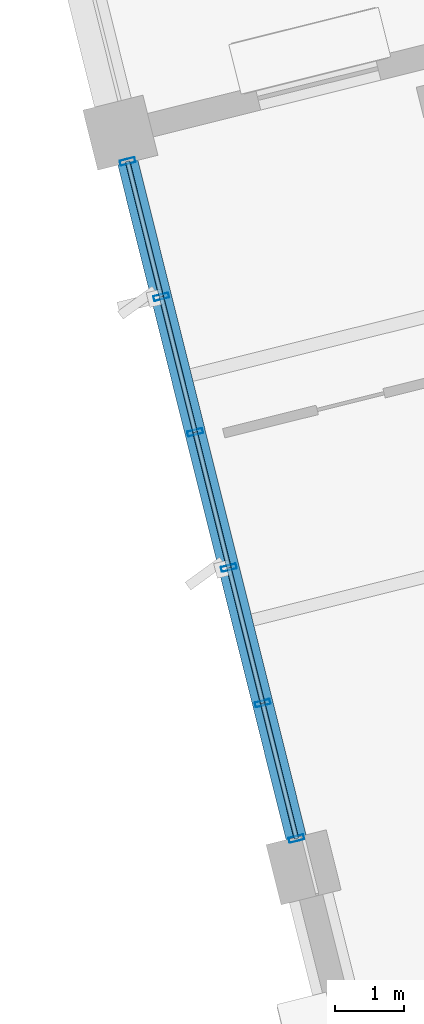
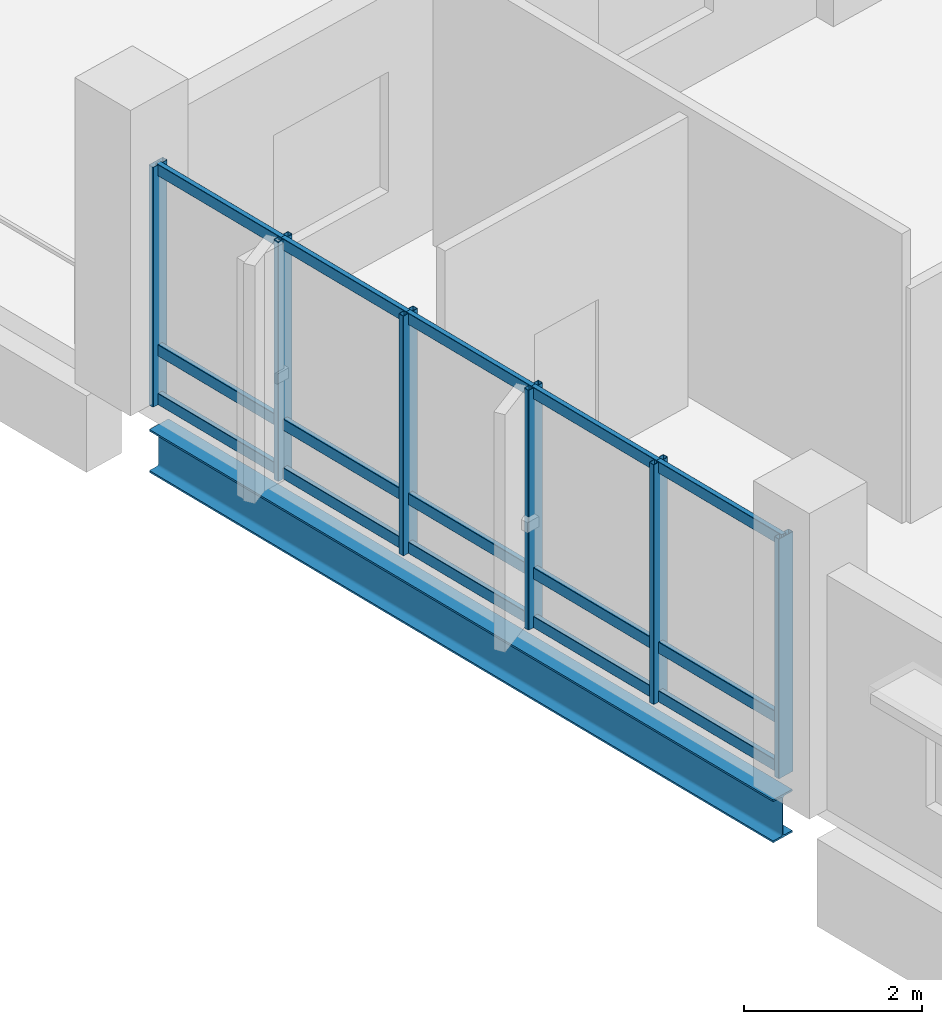
# One storey, part 14 of 22: 21 members, 1 beam, 1 element without a shape of its own.
"""IFC4 building model written with IfcOpenShell, lengths in metres."""

import ifcopenshell
import ifcopenshell.guid

model = None  # the IFC model being written
_history = None  # IfcOwnerHistory: only IFC2X3 demands one
_inside = {}  # id of a spatial element -> (the spatial element, [elements in it])
_under = {}  # id of a project, library or spatial element -> (it, [spatial elements below it])
_declared = {}  # id of a project -> (the project, [libraries it declares])
_typed = {}  # id of a type object -> (the type object, [elements of that type])
_made_of = {}  # id of a material, layer set ... -> (it, [elements and type objects made of it])


def new_model(schema):
    """Start an empty IFC model of exactly this schema.

    Asked for "IFC4X3", IfcOpenShell would pick the latest addendum, in which some entities
    have other attributes; the version numbers below select the first issue.
    IFC2X3 requires an IfcOwnerHistory on every rooted entity: one is made here for all.
    """
    global model, _history
    if schema == "IFC4X3":
        model = ifcopenshell.file(schema_version=(4, 3, 0, 0))
    else:
        model = ifcopenshell.file(schema=schema)
    _inside.clear()
    _under.clear()
    _declared.clear()
    _typed.clear()
    _made_of.clear()
    _history = None
    if model.schema == "IFC2X3":
        org = make("IfcOrganization", Name="unknown")
        user = make(
            "IfcPersonAndOrganization",
            ThePerson=make("IfcPerson", FamilyName="unknown"),
            TheOrganization=org,
        )
        app = make(
            "IfcApplication",
            ApplicationDeveloper=org,
            Version="unknown",
            ApplicationFullName="unknown",
            ApplicationIdentifier="unknown",
        )
        _history = make(
            "IfcOwnerHistory",
            OwningUser=user,
            OwningApplication=app,
            ChangeAction="ADDED",
            CreationDate=0,
        )
    return model


def make(cls, **values):
    """One entity of the class cls with the attributes given. An attribute that is None is left unset."""
    return model.create_entity(
        cls, **{name: value for name, value in values.items() if value is not None}
    )


def rooted(cls, **values):
    """An entity with a GlobalId (a new one), such as an element, a storey or a relation."""
    return make(cls, GlobalId=ifcopenshell.guid.new(), OwnerHistory=_history, **values)


def si_unit(unit_type, name, prefix=None):
    """IfcSIUnit, for example si_unit("LENGTHUNIT", "METRE", prefix="MILLI")."""
    return make("IfcSIUnit", UnitType=unit_type, Prefix=prefix, Name=name)


def assignment(units):
    """IfcUnitAssignment: the units of a project."""
    return None if units is None else make("IfcUnitAssignment", Units=units)


def point(xyz):
    """IfcCartesianPoint."""
    return None if xyz is None else make("IfcCartesianPoint", Coordinates=xyz)


def direction(xyz):
    """IfcDirection."""
    return None if xyz is None else make("IfcDirection", DirectionRatios=xyz)


def frame(location, z_axis=None, x_axis=None):
    """IfcAxis2Placement3D, a coordinate frame: its origin and axes. An axis left out is left unset."""
    return make(
        "IfcAxis2Placement3D",
        Location=point(location),
        Axis=direction(z_axis),
        RefDirection=direction(x_axis),
    )


def frame_2d(location, x_axis=None):
    """IfcAxis2Placement2D, a coordinate frame in the plane: its origin and x axis."""
    return make(
        "IfcAxis2Placement2D", Location=point(location), RefDirection=direction(x_axis)
    )


def origin():
    """The frame at (0, 0, 0) with its axes left unset."""
    return frame((0.0, 0.0, 0.0))


def origin_2d():
    """The frame at (0, 0) in the plane with its x axis left unset."""
    return frame_2d((0.0, 0.0))


def place(relative_to, where):
    """IfcLocalPlacement: puts the frame where relative to a parent placement (None: the world)."""
    return make(
        "IfcLocalPlacement", PlacementRelTo=relative_to, RelativePlacement=where
    )


def context(
    kind, dimensions, precision=None, world=None, true_north=None, identifier=None
):
    """IfcGeometricRepresentationContext, for example the 3D "Model" context."""
    return make(
        "IfcGeometricRepresentationContext",
        ContextIdentifier=identifier,
        ContextType=kind,
        CoordinateSpaceDimension=dimensions,
        Precision=precision,
        WorldCoordinateSystem=world,
        TrueNorth=true_north,
    )


def subcontext(parent, identifier, kind, view, scale=None):
    """IfcGeometricRepresentationSubContext, for example "Body" below "Model"."""
    return make(
        "IfcGeometricRepresentationSubContext",
        ContextIdentifier=identifier,
        ContextType=kind,
        ParentContext=parent,
        TargetScale=scale,
        TargetView=view,
    )


def project(units=None, contexts=None):
    """IfcProject with its units and contexts."""
    return rooted(
        "IfcProject",
        Name="project",
        RepresentationContexts=contexts,
        UnitsInContext=assignment(units),
    )


def spatial(cls, under=None, at=None, **own):
    """A site, building, storey or space (cls), placed at a placement, below another one or the project."""
    s = rooted(cls, ObjectPlacement=at, **own)
    if under is not None:
        _under.setdefault(under.id(), (under, []))[1].append(s)
    return s


def profile(cls, at=None, kind="AREA", **sizes):
    """A parametric profile (cls). Its sizes go by their IFC names, for example OverallWidth=200.0."""
    return make(cls, ProfileType=kind, Position=at, **sizes)


def hollow_rectangle(**sizes):
    """IfcRectangleHollowProfileDef."""
    return profile("IfcRectangleHollowProfileDef", **sizes)


def i_section(**sizes):
    """IfcIShapeProfileDef."""
    return profile("IfcIShapeProfileDef", **sizes)


def extrude(swept, where, along, depth):
    """IfcExtrudedAreaSolid: the profile swept, set in the frame where, extruded along a direction by depth."""
    return make(
        "IfcExtrudedAreaSolid",
        SweptArea=swept,
        Position=where,
        ExtrudedDirection=direction(along),
        Depth=depth,
    )


def shape(context_of_items, identifier, shape_type, items):
    """IfcShapeRepresentation: the items that make up one representation, for example the "Body"."""
    return make(
        "IfcShapeRepresentation",
        ContextOfItems=context_of_items,
        RepresentationIdentifier=identifier,
        RepresentationType=shape_type,
        Items=items,
    )


def material(Name=None, Category=None):
    """IfcMaterial."""
    return make("IfcMaterial", Name=Name, Category=Category)


def layer(
    of_material, thickness, ventilated=None, Name=None, Category=None, Priority=None
):
    """IfcMaterialLayer: one layer of a wall or slab, of a material (None: an air gap)."""
    return make(
        "IfcMaterialLayer",
        Material=of_material,
        LayerThickness=thickness,
        IsVentilated=ventilated,
        Name=Name,
        Category=Category,
        Priority=Priority,
    )


def layer_set(layers, Name=None):
    """IfcMaterialLayerSet."""
    return make("IfcMaterialLayerSet", MaterialLayers=layers, LayerSetName=Name)


def material_profile(
    of_material, cross_section, Name=None, Category=None, Priority=None
):
    """IfcMaterialProfile: a cross section and its material."""
    return make(
        "IfcMaterialProfile",
        Name=Name,
        Material=of_material,
        Profile=cross_section,
        Priority=Priority,
        Category=Category,
    )


def profile_set(profiles, Name=None, composite=None):
    """IfcMaterialProfileSet."""
    return make(
        "IfcMaterialProfileSet",
        Name=Name,
        MaterialProfiles=profiles,
        CompositeProfile=composite,
    )


def made_of(thing, what):
    """Note that an element or type object is made of a material, layer set ...; save() writes the relation."""
    if what is not None:
        _made_of.setdefault(what.id(), (what, []))[1].append(thing)
    return thing


def type_object(cls, material=None, **own):
    """A type object (cls), such as IfcWallType, which elements share."""
    return made_of(rooted(cls, **own), material)


def element(
    cls,
    number,
    at=None,
    inside=None,
    cuts=None,
    type_object=None,
    material=None,
    context=None,
    identifier="Body",
    shape_type=None,
    held_by="IfcProductDefinitionShape",
    body=None,
    shapes=None,
    **own,
):
    """One element of the class cls, such as IfcWall. Its Tag is "e" and its number.

    at: its placement. inside: the storey or other place that contains it. cuts: it is an
    opening in that element (IfcRelVoidsElement). A single representation is given by context,
    identifier, shape_type and body (its items); several are given by shapes. held_by: the class
    of the entity that holds the representations. save() writes the other relations.
    """
    e = rooted(cls, Tag="e%d" % number, ObjectPlacement=at, **own)
    if body is not None:
        shapes = [shape(context, identifier, shape_type, body)]
    if shapes is not None:
        e.Representation = make(held_by, Representations=shapes)
    if inside is not None:
        _inside.setdefault(inside.id(), (inside, []))[1].append(e)
    if cuts is not None:
        rooted(
            "IfcRelVoidsElement", RelatingBuildingElement=cuts, RelatedOpeningElement=e
        )
    if type_object is not None:
        _typed.setdefault(type_object.id(), (type_object, []))[1].append(e)
    return made_of(e, material)


def aggregate(whole, parts):
    """IfcRelAggregates: a whole, such as a stair, and the parts it consists of."""
    return rooted("IfcRelAggregates", RelatingObject=whole, RelatedObjects=parts)


def save(model, path):
    """Write the relations noted so far, then the file.

    IfcRelAggregates (storeys below a building ...), IfcRelContainedInSpatialStructure (elements
    in a storey), IfcRelDefinesByType, IfcRelAssociatesMaterial and IfcRelDeclares: one each for
    every whole, place, type object, material and project.
    """
    for whole, parts in _under.values():
        aggregate(whole, parts)
    for where, things in _inside.values():
        rooted(
            "IfcRelContainedInSpatialStructure",
            RelatedElements=things,
            RelatingStructure=where,
        )
    for kind, things in _typed.values():
        rooted("IfcRelDefinesByType", RelatedObjects=things, RelatingType=kind)
    for what, things in _made_of.values():
        rooted("IfcRelAssociatesMaterial", RelatedObjects=things, RelatingMaterial=what)
    for by, libraries in _declared.values():
        rooted("IfcRelDeclares", RelatingContext=by, RelatedDefinitions=libraries)
    model.write(path)


model = new_model("IFC4")

# Units and contexts
model_context = context("Model", 3, precision=1e-05, world=origin(), true_north=direction((0.0, 1.0)))
body_context = subcontext(model_context, "Body", "Model", "MODEL_VIEW")
ifc_project = project(units=[si_unit("LENGTHUNIT", "METRE"), si_unit("AREAUNIT", "SQUARE_METRE"), si_unit("VOLUMEUNIT", "CUBIC_METRE"), si_unit("PLANEANGLEUNIT", "RADIAN"), si_unit("MASSUNIT", "GRAM", prefix="KILO")], contexts=[model_context])

# Site, building, storey
site_placement = place(None, origin())
site = spatial("IfcSite", under=ifc_project, at=site_placement, CompositionType="ELEMENT")
building_placement = place(site_placement, origin())
building = spatial("IfcBuilding", under=site, at=building_placement, Name="Khorjan Park Terminus", CompositionType="ELEMENT")
storey_placement = place(building_placement, frame((0.0, 0.0, 24.6)))
storey = spatial("IfcBuildingStorey", under=building, at=storey_placement, Name="L05", CompositionType="ELEMENT", Elevation=24.6)

# Beam
ifc_material_1 = material(Name="Steel S355", Category="steel")
ifc_material_profile_1 = material_profile(ifc_material_1, i_section(OverallWidth=0.3, OverallDepth=0.59, WebThickness=0.013, FlangeThickness=0.025, FilletRadius=0.027, at=origin_2d()), Name="HEA 600")
ifc_profile_set_1 = profile_set([ifc_material_profile_1], Name="Steel S355")
beam_type = type_object("IfcBeamType", Name="BM-HEA600", PredefinedType="BEAM", material=ifc_profile_set_1)
beam_placement = place(storey_placement, frame((200.6019, 45.0961, -0.625), z_axis=(-0.241918830968, 0.970296490369, 0.0), x_axis=(-0.970296490369, -0.241918830968, 0.0)))
element("IfcBeam", 1, at=beam_placement, inside=storey, type_object=beam_type, Name="Primary skew-grid floor girder SB-A60 (L05)", PredefinedType="BEAM", context=body_context, shape_type="SweptSolid", body=[
    extrude(i_section(OverallWidth=0.3, OverallDepth=0.59, WebThickness=0.013, FlangeThickness=0.025, FilletRadius=0.027, at=origin_2d()), origin(), (0.0, 0.0, 1.0), 10.11),
])

# Curtain wall, members
ifc_material_2 = material(Name="Anodized Bronze Aluminium", Category="aluminium")
ifc_layer = layer(ifc_material_2, 0.22)
ifc_layer_set = layer_set([ifc_layer], Name="Anodized Bronze Aluminium")
curtain_wall_type = type_object("IfcCurtainWallType", Name="CW-OPS-B", PredefinedType="NOTDEFINED", material=ifc_layer_set)
curtain_wall_placement = place(storey_placement, origin())
curtain_wall = element("IfcCurtainWall", 2, at=curtain_wall_placement, inside=storey, type_object=curtain_wall_type, Name="Unitized curtain wall CW-B (CW-V5-NW1-L05-B01)", PredefinedType="NOTDEFINED")
ifc_material_profile_2 = material_profile(ifc_material_2, hollow_rectangle(XDim=0.075, YDim=0.225, WallThickness=0.005, InnerFilletRadius=0.005, OuterFilletRadius=0.01, at=origin_2d()), Name="ALM 75x225x5")
ifc_profile_set_2 = profile_set([ifc_material_profile_2], Name="Anodized Bronze Aluminium")
member_type_1 = type_object("IfcMemberType", Name="ML-ALM-225", PredefinedType="MULLION", material=ifc_profile_set_2)
member_1_placement = place(storey_placement, frame((198.1523, 54.9208, -0.035), z_axis=(0.0, 0.0, 1.0), x_axis=(0.24193231064, -0.970293129455, 0.0)))
member_1 = element("IfcMember", 3, at=member_1_placement, type_object=member_type_1, Name="Curtain-wall mullion ML-22 (CW-V5-NW1-L05-B01-0)", PredefinedType="MULLION", context=body_context, shape_type="SweptSolid", body=[
    extrude(hollow_rectangle(XDim=0.075, YDim=0.225, WallThickness=0.005, InnerFilletRadius=0.005, OuterFilletRadius=0.01, at=origin_2d()), origin(), (0.0, 0.0, 1.0), 3.295),
])
member_2_placement = place(storey_placement, frame((198.643, 52.9529, -0.035), z_axis=(0.0, 0.0, 1.0), x_axis=(0.24193231064, -0.970293129455, 0.0)))
member_2 = element("IfcMember", 4, at=member_2_placement, type_object=member_type_1, Name="Curtain-wall mullion ML-22 (CW-V5-NW1-L05-B01-1)", PredefinedType="MULLION", context=body_context, shape_type="SweptSolid", body=[
    extrude(hollow_rectangle(XDim=0.075, YDim=0.225, WallThickness=0.005, InnerFilletRadius=0.005, OuterFilletRadius=0.01, at=origin_2d()), origin(), (0.0, 0.0, 1.0), 3.295),
])
member_3_placement = place(storey_placement, frame((199.1337, 50.985, -0.035), z_axis=(0.0, 0.0, 1.0), x_axis=(0.24193231064, -0.970293129455, 0.0)))
member_3 = element("IfcMember", 5, at=member_3_placement, type_object=member_type_1, Name="Curtain-wall mullion ML-22 (CW-V5-NW1-L05-B01-2)", PredefinedType="MULLION", context=body_context, shape_type="SweptSolid", body=[
    extrude(hollow_rectangle(XDim=0.075, YDim=0.225, WallThickness=0.005, InnerFilletRadius=0.005, OuterFilletRadius=0.01, at=origin_2d()), origin(), (0.0, 0.0, 1.0), 3.295),
])
member_4_placement = place(storey_placement, frame((199.6243, 49.017, -0.035), z_axis=(0.0, 0.0, 1.0), x_axis=(0.24193231064, -0.970293129455, 0.0)))
member_4 = element("IfcMember", 6, at=member_4_placement, type_object=member_type_1, Name="Curtain-wall mullion ML-22 (CW-V5-NW1-L05-B01-3)", PredefinedType="MULLION", context=body_context, shape_type="SweptSolid", body=[
    extrude(hollow_rectangle(XDim=0.075, YDim=0.225, WallThickness=0.005, InnerFilletRadius=0.005, OuterFilletRadius=0.01, at=origin_2d()), origin(), (0.0, 0.0, 1.0), 3.295),
])
member_5_placement = place(storey_placement, frame((200.115, 47.0491, -0.035), z_axis=(0.0, 0.0, 1.0), x_axis=(0.24193231064, -0.970293129455, 0.0)))
member_5 = element("IfcMember", 7, at=member_5_placement, type_object=member_type_1, Name="Curtain-wall mullion ML-22 (CW-V5-NW1-L05-B01-4)", PredefinedType="MULLION", context=body_context, shape_type="SweptSolid", body=[
    extrude(hollow_rectangle(XDim=0.075, YDim=0.225, WallThickness=0.005, InnerFilletRadius=0.005, OuterFilletRadius=0.01, at=origin_2d()), origin(), (0.0, 0.0, 1.0), 3.295),
])
member_6_placement = place(storey_placement, frame((200.6057, 45.0812, -0.035), z_axis=(0.0, 0.0, 1.0), x_axis=(0.24193231064, -0.970293129455, 0.0)))
member_6 = element("IfcMember", 8, at=member_6_placement, type_object=member_type_1, Name="Curtain-wall mullion ML-22 (CW-V5-NW1-L05-B01-5)", PredefinedType="MULLION", context=body_context, shape_type="SweptSolid", body=[
    extrude(hollow_rectangle(XDim=0.075, YDim=0.225, WallThickness=0.005, InnerFilletRadius=0.005, OuterFilletRadius=0.01, at=origin_2d()), origin(), (0.0, 0.0, 1.0), 3.295),
])
ifc_material_profile_3 = material_profile(ifc_material_2, hollow_rectangle(XDim=0.07, YDim=0.16, WallThickness=0.004, InnerFilletRadius=0.004, OuterFilletRadius=0.008, at=origin_2d()), Name="ALT 70x160x4")
ifc_profile_set_3 = profile_set([ifc_material_profile_3], Name="Anodized Bronze Aluminium")
member_type_2 = type_object("IfcMemberType", Name="TR-ALT-160", PredefinedType="USERDEFINED", material=ifc_profile_set_3)
member_7_placement = place(storey_placement, frame((198.1523, 54.9208, 0.04), z_axis=(0.241943909477, -0.970290237335, 0.0), x_axis=(0.970290237335, 0.241943909477, 0.0)))
member_7 = element("IfcMember", 9, at=member_7_placement, type_object=member_type_2, Name="Curtain-wall transom TR-16 (CW-V5-NW1-L05-B01-0-1)", ObjectType="TRANSOM", PredefinedType="USERDEFINED", context=body_context, shape_type="SweptSolid", body=[
    extrude(hollow_rectangle(XDim=0.07, YDim=0.16, WallThickness=0.004, InnerFilletRadius=0.004, OuterFilletRadius=0.008, at=origin_2d()), origin(), (0.0, 0.0, 1.0), 2.0282),
])
member_8_placement = place(storey_placement, frame((198.1523, 54.9208, 0.709), z_axis=(0.241943909477, -0.970290237335, 0.0), x_axis=(0.970290237335, 0.241943909477, 0.0)))
member_8 = element("IfcMember", 10, at=member_8_placement, type_object=member_type_2, Name="Curtain-wall transom TR-16 (CW-V5-NW1-L05-B01-0-2)", ObjectType="TRANSOM", PredefinedType="USERDEFINED", context=body_context, shape_type="SweptSolid", body=[
    extrude(hollow_rectangle(XDim=0.07, YDim=0.16, WallThickness=0.004, InnerFilletRadius=0.004, OuterFilletRadius=0.008, at=origin_2d()), origin(), (0.0, 0.0, 1.0), 2.0282),
])
member_9_placement = place(storey_placement, frame((198.1523, 54.9208, 3.185), z_axis=(0.241943909477, -0.970290237335, 0.0), x_axis=(0.970290237335, 0.241943909477, 0.0)))
member_9 = element("IfcMember", 11, at=member_9_placement, type_object=member_type_2, Name="Curtain-wall transom TR-16 (CW-V5-NW1-L05-B01-0-3)", ObjectType="TRANSOM", PredefinedType="USERDEFINED", context=body_context, shape_type="SweptSolid", body=[
    extrude(hollow_rectangle(XDim=0.07, YDim=0.16, WallThickness=0.004, InnerFilletRadius=0.004, OuterFilletRadius=0.008, at=origin_2d()), origin(), (0.0, 0.0, 1.0), 2.0282),
])
member_10_placement = place(storey_placement, frame((198.643, 52.9529, 0.04), z_axis=(0.241943909477, -0.970290237335, 0.0), x_axis=(0.970290237335, 0.241943909477, 0.0)))
member_10 = element("IfcMember", 12, at=member_10_placement, type_object=member_type_2, Name="Curtain-wall transom TR-16 (CW-V5-NW1-L05-B01-1-1)", ObjectType="TRANSOM", PredefinedType="USERDEFINED", context=body_context, shape_type="SweptSolid", body=[
    extrude(hollow_rectangle(XDim=0.07, YDim=0.16, WallThickness=0.004, InnerFilletRadius=0.004, OuterFilletRadius=0.008, at=origin_2d()), origin(), (0.0, 0.0, 1.0), 2.0282),
])
member_11_placement = place(storey_placement, frame((198.643, 52.9529, 0.709), z_axis=(0.241943909477, -0.970290237335, 0.0), x_axis=(0.970290237335, 0.241943909477, 0.0)))
member_11 = element("IfcMember", 13, at=member_11_placement, type_object=member_type_2, Name="Curtain-wall transom TR-16 (CW-V5-NW1-L05-B01-1-2)", ObjectType="TRANSOM", PredefinedType="USERDEFINED", context=body_context, shape_type="SweptSolid", body=[
    extrude(hollow_rectangle(XDim=0.07, YDim=0.16, WallThickness=0.004, InnerFilletRadius=0.004, OuterFilletRadius=0.008, at=origin_2d()), origin(), (0.0, 0.0, 1.0), 2.0282),
])
member_12_placement = place(storey_placement, frame((198.643, 52.9529, 3.185), z_axis=(0.241943909477, -0.970290237335, 0.0), x_axis=(0.970290237335, 0.241943909477, 0.0)))
member_12 = element("IfcMember", 14, at=member_12_placement, type_object=member_type_2, Name="Curtain-wall transom TR-16 (CW-V5-NW1-L05-B01-1-3)", ObjectType="TRANSOM", PredefinedType="USERDEFINED", context=body_context, shape_type="SweptSolid", body=[
    extrude(hollow_rectangle(XDim=0.07, YDim=0.16, WallThickness=0.004, InnerFilletRadius=0.004, OuterFilletRadius=0.008, at=origin_2d()), origin(), (0.0, 0.0, 1.0), 2.0282),
])
member_13_placement = place(storey_placement, frame((199.1337, 50.985, 0.04), z_axis=(0.241885916627, -0.970304696133, 0.0), x_axis=(0.970304696133, 0.241885916627, 0.0)))
member_13 = element("IfcMember", 15, at=member_13_placement, type_object=member_type_2, Name="Curtain-wall transom TR-16 (CW-V5-NW1-L05-B01-2-1)", ObjectType="TRANSOM", PredefinedType="USERDEFINED", context=body_context, shape_type="SweptSolid", body=[
    extrude(hollow_rectangle(XDim=0.07, YDim=0.16, WallThickness=0.004, InnerFilletRadius=0.004, OuterFilletRadius=0.008, at=origin_2d()), origin(), (0.0, 0.0, 1.0), 2.0282),
])
member_14_placement = place(storey_placement, frame((199.1337, 50.985, 0.709), z_axis=(0.241885916627, -0.970304696133, 0.0), x_axis=(0.970304696133, 0.241885916627, 0.0)))
member_14 = element("IfcMember", 16, at=member_14_placement, type_object=member_type_2, Name="Curtain-wall transom TR-16 (CW-V5-NW1-L05-B01-2-2)", ObjectType="TRANSOM", PredefinedType="USERDEFINED", context=body_context, shape_type="SweptSolid", body=[
    extrude(hollow_rectangle(XDim=0.07, YDim=0.16, WallThickness=0.004, InnerFilletRadius=0.004, OuterFilletRadius=0.008, at=origin_2d()), origin(), (0.0, 0.0, 1.0), 2.0282),
])
member_15_placement = place(storey_placement, frame((199.1337, 50.985, 3.185), z_axis=(0.241885916627, -0.970304696133, 0.0), x_axis=(0.970304696133, 0.241885916627, 0.0)))
member_15 = element("IfcMember", 17, at=member_15_placement, type_object=member_type_2, Name="Curtain-wall transom TR-16 (CW-V5-NW1-L05-B01-2-3)", ObjectType="TRANSOM", PredefinedType="USERDEFINED", context=body_context, shape_type="SweptSolid", body=[
    extrude(hollow_rectangle(XDim=0.07, YDim=0.16, WallThickness=0.004, InnerFilletRadius=0.004, OuterFilletRadius=0.008, at=origin_2d()), origin(), (0.0, 0.0, 1.0), 2.0282),
])
member_16_placement = place(storey_placement, frame((199.6243, 49.017, 0.04), z_axis=(0.241943909477, -0.970290237335, 0.0), x_axis=(0.970290237335, 0.241943909477, 0.0)))
member_16 = element("IfcMember", 18, at=member_16_placement, type_object=member_type_2, Name="Curtain-wall transom TR-16 (CW-V5-NW1-L05-B01-3-1)", ObjectType="TRANSOM", PredefinedType="USERDEFINED", context=body_context, shape_type="SweptSolid", body=[
    extrude(hollow_rectangle(XDim=0.07, YDim=0.16, WallThickness=0.004, InnerFilletRadius=0.004, OuterFilletRadius=0.008, at=origin_2d()), origin(), (0.0, 0.0, 1.0), 2.0282),
])
member_17_placement = place(storey_placement, frame((199.6243, 49.017, 0.709), z_axis=(0.241943909477, -0.970290237335, 0.0), x_axis=(0.970290237335, 0.241943909477, 0.0)))
member_17 = element("IfcMember", 19, at=member_17_placement, type_object=member_type_2, Name="Curtain-wall transom TR-16 (CW-V5-NW1-L05-B01-3-2)", ObjectType="TRANSOM", PredefinedType="USERDEFINED", context=body_context, shape_type="SweptSolid", body=[
    extrude(hollow_rectangle(XDim=0.07, YDim=0.16, WallThickness=0.004, InnerFilletRadius=0.004, OuterFilletRadius=0.008, at=origin_2d()), origin(), (0.0, 0.0, 1.0), 2.0282),
])
member_18_placement = place(storey_placement, frame((199.6243, 49.017, 3.185), z_axis=(0.241943909477, -0.970290237335, 0.0), x_axis=(0.970290237335, 0.241943909477, 0.0)))
member_18 = element("IfcMember", 20, at=member_18_placement, type_object=member_type_2, Name="Curtain-wall transom TR-16 (CW-V5-NW1-L05-B01-3-3)", ObjectType="TRANSOM", PredefinedType="USERDEFINED", context=body_context, shape_type="SweptSolid", body=[
    extrude(hollow_rectangle(XDim=0.07, YDim=0.16, WallThickness=0.004, InnerFilletRadius=0.004, OuterFilletRadius=0.008, at=origin_2d()), origin(), (0.0, 0.0, 1.0), 2.0282),
])
member_19_placement = place(storey_placement, frame((200.115, 47.0491, 0.04), z_axis=(0.241943909477, -0.970290237335, 0.0), x_axis=(0.970290237335, 0.241943909477, 0.0)))
member_19 = element("IfcMember", 21, at=member_19_placement, type_object=member_type_2, Name="Curtain-wall transom TR-16 (CW-V5-NW1-L05-B01-4-1)", ObjectType="TRANSOM", PredefinedType="USERDEFINED", context=body_context, shape_type="SweptSolid", body=[
    extrude(hollow_rectangle(XDim=0.07, YDim=0.16, WallThickness=0.004, InnerFilletRadius=0.004, OuterFilletRadius=0.008, at=origin_2d()), origin(), (0.0, 0.0, 1.0), 2.0282),
])
member_20_placement = place(storey_placement, frame((200.115, 47.0491, 0.709), z_axis=(0.241943909477, -0.970290237335, 0.0), x_axis=(0.970290237335, 0.241943909477, 0.0)))
member_20 = element("IfcMember", 22, at=member_20_placement, type_object=member_type_2, Name="Curtain-wall transom TR-16 (CW-V5-NW1-L05-B01-4-2)", ObjectType="TRANSOM", PredefinedType="USERDEFINED", context=body_context, shape_type="SweptSolid", body=[
    extrude(hollow_rectangle(XDim=0.07, YDim=0.16, WallThickness=0.004, InnerFilletRadius=0.004, OuterFilletRadius=0.008, at=origin_2d()), origin(), (0.0, 0.0, 1.0), 2.0282),
])
member_21_placement = place(storey_placement, frame((200.115, 47.0491, 3.185), z_axis=(0.241943909477, -0.970290237335, 0.0), x_axis=(0.970290237335, 0.241943909477, 0.0)))
member_21 = element("IfcMember", 23, at=member_21_placement, type_object=member_type_2, Name="Curtain-wall transom TR-16 (CW-V5-NW1-L05-B01-4-3)", ObjectType="TRANSOM", PredefinedType="USERDEFINED", context=body_context, shape_type="SweptSolid", body=[
    extrude(hollow_rectangle(XDim=0.07, YDim=0.16, WallThickness=0.004, InnerFilletRadius=0.004, OuterFilletRadius=0.008, at=origin_2d()), origin(), (0.0, 0.0, 1.0), 2.0282),
])
aggregate(curtain_wall, [member_1, member_2, member_3, member_4, member_5, member_6, member_7, member_8, member_9, member_10, member_11, member_12, member_13, member_14, member_15, member_16, member_17, member_18, member_19, member_20, member_21])

save(model, "model.ifc")
